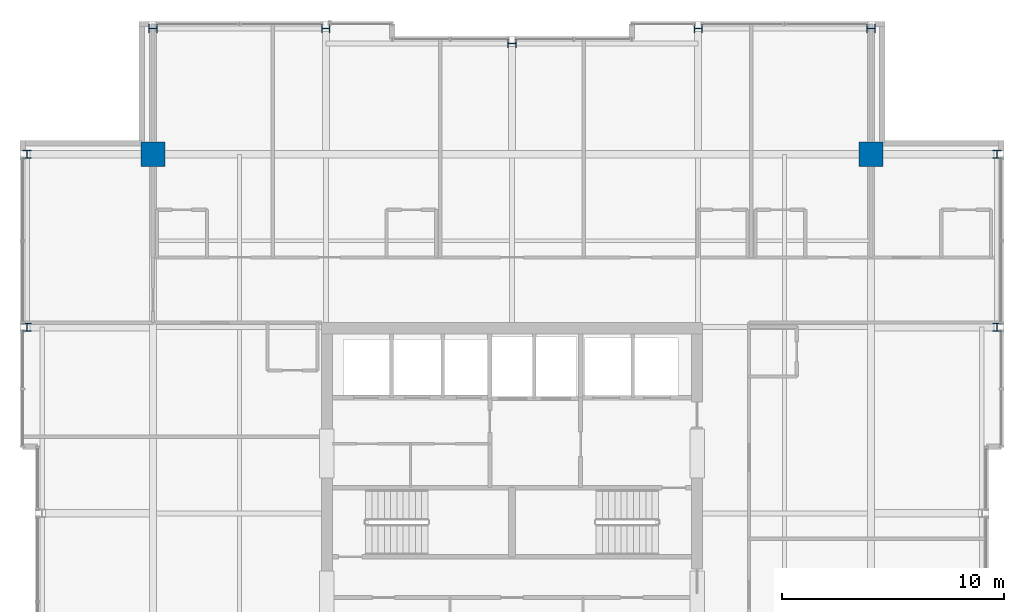
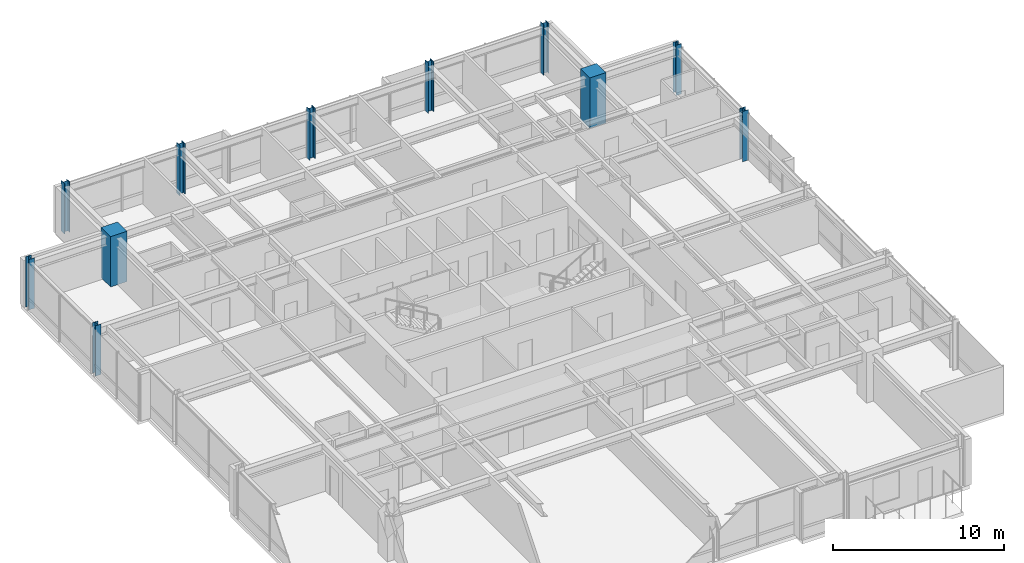
# One storey, part 2 of 31: 11 columns.
"""IFC4 building model written with IfcOpenShell, lengths in metres."""

import ifcopenshell
import ifcopenshell.guid

model = None  # the IFC model being written
_history = None  # IfcOwnerHistory: only IFC2X3 demands one
_inside = {}  # id of a spatial element -> (the spatial element, [elements in it])
_under = {}  # id of a project, library or spatial element -> (it, [spatial elements below it])
_declared = {}  # id of a project -> (the project, [libraries it declares])
_typed = {}  # id of a type object -> (the type object, [elements of that type])
_made_of = {}  # id of a material, layer set ... -> (it, [elements and type objects made of it])


def new_model(schema):
    """Start an empty IFC model of exactly this schema.

    Asked for "IFC4X3", IfcOpenShell would pick the latest addendum, in which some entities
    have other attributes; the version numbers below select the first issue.
    IFC2X3 requires an IfcOwnerHistory on every rooted entity: one is made here for all.
    """
    global model, _history
    if schema == "IFC4X3":
        model = ifcopenshell.file(schema_version=(4, 3, 0, 0))
    else:
        model = ifcopenshell.file(schema=schema)
    _inside.clear()
    _under.clear()
    _declared.clear()
    _typed.clear()
    _made_of.clear()
    _history = None
    if model.schema == "IFC2X3":
        org = make("IfcOrganization", Name="unknown")
        user = make(
            "IfcPersonAndOrganization",
            ThePerson=make("IfcPerson", FamilyName="unknown"),
            TheOrganization=org,
        )
        app = make(
            "IfcApplication",
            ApplicationDeveloper=org,
            Version="unknown",
            ApplicationFullName="unknown",
            ApplicationIdentifier="unknown",
        )
        _history = make(
            "IfcOwnerHistory",
            OwningUser=user,
            OwningApplication=app,
            ChangeAction="ADDED",
            CreationDate=0,
        )
    return model


def make(cls, **values):
    """One entity of the class cls with the attributes given. An attribute that is None is left unset."""
    return model.create_entity(
        cls, **{name: value for name, value in values.items() if value is not None}
    )


def rooted(cls, **values):
    """An entity with a GlobalId (a new one), such as an element, a storey or a relation."""
    return make(cls, GlobalId=ifcopenshell.guid.new(), OwnerHistory=_history, **values)


def si_unit(unit_type, name, prefix=None):
    """IfcSIUnit, for example si_unit("LENGTHUNIT", "METRE", prefix="MILLI")."""
    return make("IfcSIUnit", UnitType=unit_type, Prefix=prefix, Name=name)


def assignment(units):
    """IfcUnitAssignment: the units of a project."""
    return None if units is None else make("IfcUnitAssignment", Units=units)


def point(xyz):
    """IfcCartesianPoint."""
    return None if xyz is None else make("IfcCartesianPoint", Coordinates=xyz)


def direction(xyz):
    """IfcDirection."""
    return None if xyz is None else make("IfcDirection", DirectionRatios=xyz)


def frame(location, z_axis=None, x_axis=None):
    """IfcAxis2Placement3D, a coordinate frame: its origin and axes. An axis left out is left unset."""
    return make(
        "IfcAxis2Placement3D",
        Location=point(location),
        Axis=direction(z_axis),
        RefDirection=direction(x_axis),
    )


def frame_2d(location, x_axis=None):
    """IfcAxis2Placement2D, a coordinate frame in the plane: its origin and x axis."""
    return make(
        "IfcAxis2Placement2D", Location=point(location), RefDirection=direction(x_axis)
    )


def origin():
    """The frame at (0, 0, 0) with its axes left unset."""
    return frame((0.0, 0.0, 0.0))


def origin_2d():
    """The frame at (0, 0) in the plane with its x axis left unset."""
    return frame_2d((0.0, 0.0))


def place(relative_to, where):
    """IfcLocalPlacement: puts the frame where relative to a parent placement (None: the world)."""
    return make(
        "IfcLocalPlacement", PlacementRelTo=relative_to, RelativePlacement=where
    )


def context(
    kind, dimensions, precision=None, world=None, true_north=None, identifier=None
):
    """IfcGeometricRepresentationContext, for example the 3D "Model" context."""
    return make(
        "IfcGeometricRepresentationContext",
        ContextIdentifier=identifier,
        ContextType=kind,
        CoordinateSpaceDimension=dimensions,
        Precision=precision,
        WorldCoordinateSystem=world,
        TrueNorth=true_north,
    )


def subcontext(parent, identifier, kind, view, scale=None):
    """IfcGeometricRepresentationSubContext, for example "Body" below "Model"."""
    return make(
        "IfcGeometricRepresentationSubContext",
        ContextIdentifier=identifier,
        ContextType=kind,
        ParentContext=parent,
        TargetScale=scale,
        TargetView=view,
    )


def project(units=None, contexts=None):
    """IfcProject with its units and contexts."""
    return rooted(
        "IfcProject",
        Name="project",
        RepresentationContexts=contexts,
        UnitsInContext=assignment(units),
    )


def spatial(cls, under=None, at=None, **own):
    """A site, building, storey or space (cls), placed at a placement, below another one or the project."""
    s = rooted(cls, ObjectPlacement=at, **own)
    if under is not None:
        _under.setdefault(under.id(), (under, []))[1].append(s)
    return s


def profile(cls, at=None, kind="AREA", **sizes):
    """A parametric profile (cls). Its sizes go by their IFC names, for example OverallWidth=200.0."""
    return make(cls, ProfileType=kind, Position=at, **sizes)


def rectangle(**sizes):
    """IfcRectangleProfileDef."""
    return profile("IfcRectangleProfileDef", **sizes)


def i_section(**sizes):
    """IfcIShapeProfileDef."""
    return profile("IfcIShapeProfileDef", **sizes)


def extrude(swept, where, along, depth):
    """IfcExtrudedAreaSolid: the profile swept, set in the frame where, extruded along a direction by depth."""
    return make(
        "IfcExtrudedAreaSolid",
        SweptArea=swept,
        Position=where,
        ExtrudedDirection=direction(along),
        Depth=depth,
    )


def shape(context_of_items, identifier, shape_type, items):
    """IfcShapeRepresentation: the items that make up one representation, for example the "Body"."""
    return make(
        "IfcShapeRepresentation",
        ContextOfItems=context_of_items,
        RepresentationIdentifier=identifier,
        RepresentationType=shape_type,
        Items=items,
    )


def material(Name=None, Category=None):
    """IfcMaterial."""
    return make("IfcMaterial", Name=Name, Category=Category)


def material_profile(
    of_material, cross_section, Name=None, Category=None, Priority=None
):
    """IfcMaterialProfile: a cross section and its material."""
    return make(
        "IfcMaterialProfile",
        Name=Name,
        Material=of_material,
        Profile=cross_section,
        Priority=Priority,
        Category=Category,
    )


def profile_set(profiles, Name=None, composite=None):
    """IfcMaterialProfileSet."""
    return make(
        "IfcMaterialProfileSet",
        Name=Name,
        MaterialProfiles=profiles,
        CompositeProfile=composite,
    )


def made_of(thing, what):
    """Note that an element or type object is made of a material, layer set ...; save() writes the relation."""
    if what is not None:
        _made_of.setdefault(what.id(), (what, []))[1].append(thing)
    return thing


def type_object(cls, material=None, **own):
    """A type object (cls), such as IfcWallType, which elements share."""
    return made_of(rooted(cls, **own), material)


def element(
    cls,
    number,
    at=None,
    inside=None,
    cuts=None,
    type_object=None,
    material=None,
    context=None,
    identifier="Body",
    shape_type=None,
    held_by="IfcProductDefinitionShape",
    body=None,
    shapes=None,
    **own,
):
    """One element of the class cls, such as IfcWall. Its Tag is "e" and its number.

    at: its placement. inside: the storey or other place that contains it. cuts: it is an
    opening in that element (IfcRelVoidsElement). A single representation is given by context,
    identifier, shape_type and body (its items); several are given by shapes. held_by: the class
    of the entity that holds the representations. save() writes the other relations.
    """
    e = rooted(cls, Tag="e%d" % number, ObjectPlacement=at, **own)
    if body is not None:
        shapes = [shape(context, identifier, shape_type, body)]
    if shapes is not None:
        e.Representation = make(held_by, Representations=shapes)
    if inside is not None:
        _inside.setdefault(inside.id(), (inside, []))[1].append(e)
    if cuts is not None:
        rooted(
            "IfcRelVoidsElement", RelatingBuildingElement=cuts, RelatedOpeningElement=e
        )
    if type_object is not None:
        _typed.setdefault(type_object.id(), (type_object, []))[1].append(e)
    return made_of(e, material)


def aggregate(whole, parts):
    """IfcRelAggregates: a whole, such as a stair, and the parts it consists of."""
    return rooted("IfcRelAggregates", RelatingObject=whole, RelatedObjects=parts)


def save(model, path):
    """Write the relations noted so far, then the file.

    IfcRelAggregates (storeys below a building ...), IfcRelContainedInSpatialStructure (elements
    in a storey), IfcRelDefinesByType, IfcRelAssociatesMaterial and IfcRelDeclares: one each for
    every whole, place, type object, material and project.
    """
    for whole, parts in _under.values():
        aggregate(whole, parts)
    for where, things in _inside.values():
        rooted(
            "IfcRelContainedInSpatialStructure",
            RelatedElements=things,
            RelatingStructure=where,
        )
    for kind, things in _typed.values():
        rooted("IfcRelDefinesByType", RelatedObjects=things, RelatingType=kind)
    for what, things in _made_of.values():
        rooted("IfcRelAssociatesMaterial", RelatedObjects=things, RelatingMaterial=what)
    for by, libraries in _declared.values():
        rooted("IfcRelDeclares", RelatingContext=by, RelatedDefinitions=libraries)
    model.write(path)


model = new_model("IFC4")

# Units and contexts
model_context = context("Model", 3, precision=1e-05, world=origin(), true_north=direction((0.0, 1.0)))
body_context = subcontext(model_context, "Body", "Model", "MODEL_VIEW")
ifc_project = project(units=[si_unit("LENGTHUNIT", "METRE"), si_unit("AREAUNIT", "SQUARE_METRE"), si_unit("VOLUMEUNIT", "CUBIC_METRE"), si_unit("PLANEANGLEUNIT", "RADIAN"), si_unit("MASSUNIT", "GRAM", prefix="KILO")], contexts=[model_context])

# Site, building, storey
site_placement = place(None, origin())
site = spatial("IfcSite", under=ifc_project, at=site_placement, CompositionType="ELEMENT")
building_placement = place(site_placement, origin())
building = spatial("IfcBuilding", under=site, at=building_placement, Name="Drelvath Grand Hotel", CompositionType="ELEMENT")
storey_placement = place(building_placement, frame((0.0, 0.0, 244.699951171875)))
storey = spatial("IfcBuildingStorey", under=building, at=storey_placement, Name="L64", CompositionType="ELEMENT", Elevation=244.699951171875)

# Columns
ifc_material_1 = material(Name="Concrete f'c 55 MPa", Category="concrete")
ifc_material_profile_1 = material_profile(ifc_material_1, rectangle(XDim=1.10009765625, YDim=1.10009765625, at=origin_2d()), Name="MC1100X1100")
ifc_profile_set_1 = profile_set([ifc_material_profile_1], Name="Concrete f'c 55 MPa")
column_type_1 = type_object("IfcColumnType", Name="Composite Mega Column MC1100X1100", PredefinedType="COLUMN", material=ifc_profile_set_1)
for number, where, z_axis, x_axis, name in (
    (1, (-16.199951171875, 43.199951171875, 0.0), (0.0, 0.0, 1.0), (1.0, 0.0, 0.0), "L64 Composite Mega Column MC-NW"),
    (2, (16.199951171875, 43.199951171875, 0.0), (0.0, 0.0, 1.0), (1.0, 0.0, 0.0), "L64 Composite Mega Column MC-NE"),
):
    element("IfcColumn", number, at=place(storey_placement, frame(where, z_axis=z_axis, x_axis=x_axis)), inside=storey, type_object=column_type_1, Name=name, PredefinedType="COLUMN", context=body_context, shape_type="SweptSolid", body=[
        extrude(rectangle(XDim=1.10009765625, YDim=1.10009765625, at=origin_2d()), origin(), (0.0, 0.0, 1.0), 3.60009765625),
    ])
ifc_material_2 = material(Name="Steel ASTM A913 Gr 65", Category="steel")
ifc_material_profile_2 = material_profile(ifc_material_2, i_section(OverallWidth=0.3740234375, OverallDepth=0.372314453125, WebThickness=0.016357421875, FlangeThickness=0.026123046875, FilletRadius=0.02490234375, at=origin_2d()), Name="W14X132")
ifc_profile_set_2 = profile_set([ifc_material_profile_2], Name="Steel ASTM A913 Gr 65")
column_type_2 = type_object("IfcColumnType", Name="Perimeter Steel Column W14X132", PredefinedType="COLUMN", material=ifc_profile_set_2)
for number, where, z_axis, x_axis, name in (
    (3, (-21.8798828125, 35.39990234375, 0.0), (0.0, 0.0, 1.0), (1.0, 0.0, 0.0), "L64 Structural Column TCW-F"),
    (4, (21.8798828125, 35.39990234375, 0.0), (0.0, 0.0, 1.0), (1.0, 0.0, 0.0), "L64 Structural Column TCE-F"),
    (5, (-21.8798828125, 43.199951171875, 0.0), (0.0, 0.0, 1.0), (1.0, 0.0, 0.0), "L64 Structural Column TCW-G"),
    (6, (21.8798828125, 43.199951171875, 0.0), (0.0, 0.0, 1.0), (1.0, 0.0, 0.0), "L64 Structural Column TCE-G"),
    (7, (-16.199951171875, 48.8798828125, 0.0), (0.0, 0.0, 1.0), (0.0, 1.0, 0.0), "L64 Structural Column TCN-3"),
    (8, (-8.39990234375, 48.8798828125, 0.0), (0.0, 0.0, 1.0), (0.0, 1.0, 0.0), "L64 Structural Column TCN-4"),
    (9, (0.0, 48.199951171875, 0.0), (0.0, 0.0, 1.0), (0.0, 1.0, 0.0), "L64 Structural Column TCN-5"),
    (10, (8.39990234375, 48.8798828125, 0.0), (0.0, 0.0, 1.0), (0.0, 1.0, 0.0), "L64 Structural Column TCN-6"),
    (11, (16.199951171875, 48.8798828125, 0.0), (0.0, 0.0, 1.0), (0.0, 1.0, 0.0), "L64 Structural Column TCN-7"),
):
    element("IfcColumn", number, at=place(storey_placement, frame(where, z_axis=z_axis, x_axis=x_axis)), inside=storey, type_object=column_type_2, Name=name, PredefinedType="COLUMN", context=body_context, shape_type="SweptSolid", body=[
        extrude(i_section(OverallWidth=0.3740234375, OverallDepth=0.372314453125, WebThickness=0.016357421875, FlangeThickness=0.026123046875, FilletRadius=0.02490234375, at=origin_2d()), origin(), (0.0, 0.0, 1.0), 3.59716796875),
    ])

save(model, "model.ifc")
